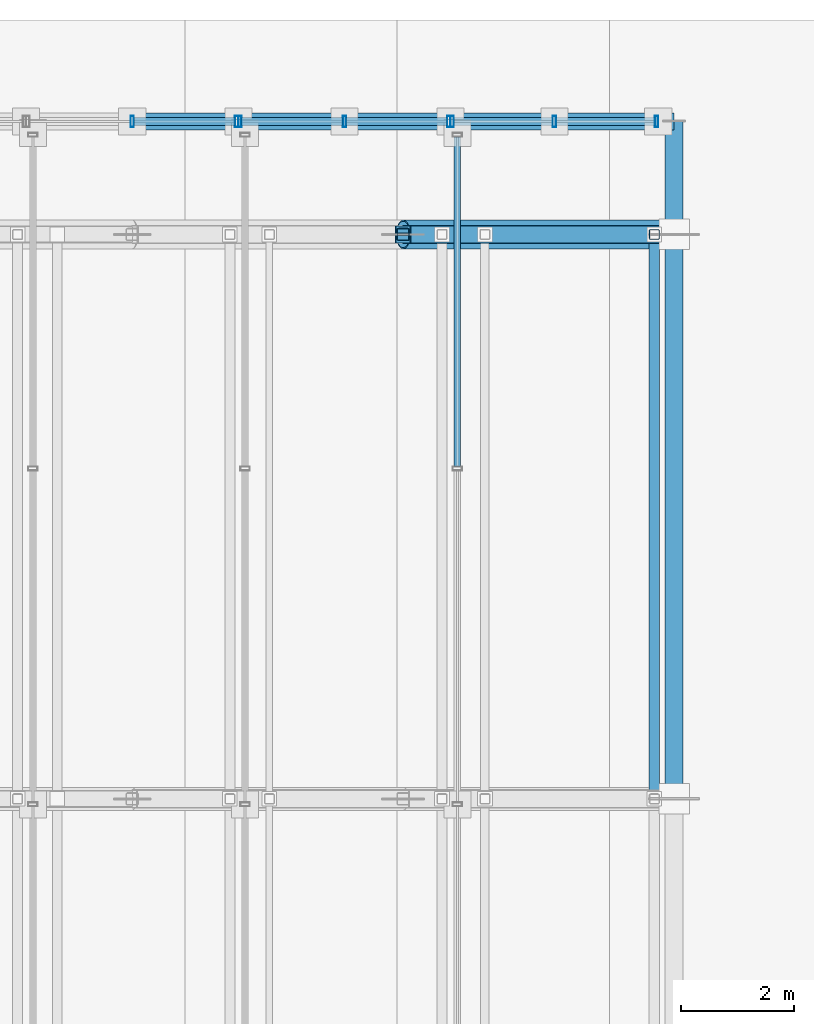
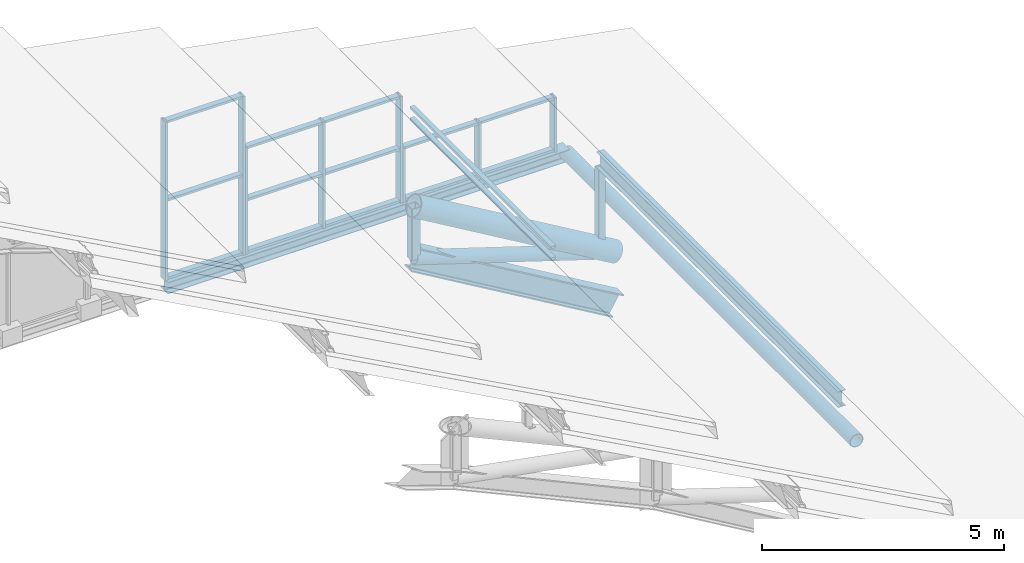
# One storey, part 42 of 117: 29 members, 2 beams, 4 elements without a shape of their own.
"""IFC4 building model written with IfcOpenShell, lengths in metres."""

import ifcopenshell
import ifcopenshell.guid

model = None  # the IFC model being written
_history = None  # IfcOwnerHistory: only IFC2X3 demands one
_inside = {}  # id of a spatial element -> (the spatial element, [elements in it])
_under = {}  # id of a project, library or spatial element -> (it, [spatial elements below it])
_declared = {}  # id of a project -> (the project, [libraries it declares])
_typed = {}  # id of a type object -> (the type object, [elements of that type])
_made_of = {}  # id of a material, layer set ... -> (it, [elements and type objects made of it])


def new_model(schema):
    """Start an empty IFC model of exactly this schema.

    Asked for "IFC4X3", IfcOpenShell would pick the latest addendum, in which some entities
    have other attributes; the version numbers below select the first issue.
    IFC2X3 requires an IfcOwnerHistory on every rooted entity: one is made here for all.
    """
    global model, _history
    if schema == "IFC4X3":
        model = ifcopenshell.file(schema_version=(4, 3, 0, 0))
    else:
        model = ifcopenshell.file(schema=schema)
    _inside.clear()
    _under.clear()
    _declared.clear()
    _typed.clear()
    _made_of.clear()
    _history = None
    if model.schema == "IFC2X3":
        org = make("IfcOrganization", Name="unknown")
        user = make(
            "IfcPersonAndOrganization",
            ThePerson=make("IfcPerson", FamilyName="unknown"),
            TheOrganization=org,
        )
        app = make(
            "IfcApplication",
            ApplicationDeveloper=org,
            Version="unknown",
            ApplicationFullName="unknown",
            ApplicationIdentifier="unknown",
        )
        _history = make(
            "IfcOwnerHistory",
            OwningUser=user,
            OwningApplication=app,
            ChangeAction="ADDED",
            CreationDate=0,
        )
    return model


def make(cls, **values):
    """One entity of the class cls with the attributes given. An attribute that is None is left unset."""
    return model.create_entity(
        cls, **{name: value for name, value in values.items() if value is not None}
    )


def rooted(cls, **values):
    """An entity with a GlobalId (a new one), such as an element, a storey or a relation."""
    return make(cls, GlobalId=ifcopenshell.guid.new(), OwnerHistory=_history, **values)


def si_unit(unit_type, name, prefix=None):
    """IfcSIUnit, for example si_unit("LENGTHUNIT", "METRE", prefix="MILLI")."""
    return make("IfcSIUnit", UnitType=unit_type, Prefix=prefix, Name=name)


def assignment(units):
    """IfcUnitAssignment: the units of a project."""
    return None if units is None else make("IfcUnitAssignment", Units=units)


def point(xyz):
    """IfcCartesianPoint."""
    return None if xyz is None else make("IfcCartesianPoint", Coordinates=xyz)


def direction(xyz):
    """IfcDirection."""
    return None if xyz is None else make("IfcDirection", DirectionRatios=xyz)


def frame(location, z_axis=None, x_axis=None):
    """IfcAxis2Placement3D, a coordinate frame: its origin and axes. An axis left out is left unset."""
    return make(
        "IfcAxis2Placement3D",
        Location=point(location),
        Axis=direction(z_axis),
        RefDirection=direction(x_axis),
    )


def frame_2d(location, x_axis=None):
    """IfcAxis2Placement2D, a coordinate frame in the plane: its origin and x axis."""
    return make(
        "IfcAxis2Placement2D", Location=point(location), RefDirection=direction(x_axis)
    )


def origin():
    """The frame at (0, 0, 0) with its axes left unset."""
    return frame((0.0, 0.0, 0.0))


def origin_2d():
    """The frame at (0, 0) in the plane with its x axis left unset."""
    return frame_2d((0.0, 0.0))


def place(relative_to, where):
    """IfcLocalPlacement: puts the frame where relative to a parent placement (None: the world)."""
    return make(
        "IfcLocalPlacement", PlacementRelTo=relative_to, RelativePlacement=where
    )


def context(
    kind, dimensions, precision=None, world=None, true_north=None, identifier=None
):
    """IfcGeometricRepresentationContext, for example the 3D "Model" context."""
    return make(
        "IfcGeometricRepresentationContext",
        ContextIdentifier=identifier,
        ContextType=kind,
        CoordinateSpaceDimension=dimensions,
        Precision=precision,
        WorldCoordinateSystem=world,
        TrueNorth=true_north,
    )


def subcontext(parent, identifier, kind, view, scale=None):
    """IfcGeometricRepresentationSubContext, for example "Body" below "Model"."""
    return make(
        "IfcGeometricRepresentationSubContext",
        ContextIdentifier=identifier,
        ContextType=kind,
        ParentContext=parent,
        TargetScale=scale,
        TargetView=view,
    )


def project(units=None, contexts=None):
    """IfcProject with its units and contexts."""
    return rooted(
        "IfcProject",
        Name="project",
        RepresentationContexts=contexts,
        UnitsInContext=assignment(units),
    )


def spatial(cls, under=None, at=None, **own):
    """A site, building, storey or space (cls), placed at a placement, below another one or the project."""
    s = rooted(cls, ObjectPlacement=at, **own)
    if under is not None:
        _under.setdefault(under.id(), (under, []))[1].append(s)
    return s


def profile(cls, at=None, kind="AREA", **sizes):
    """A parametric profile (cls). Its sizes go by their IFC names, for example OverallWidth=200.0."""
    return make(cls, ProfileType=kind, Position=at, **sizes)


def hollow_rectangle(**sizes):
    """IfcRectangleHollowProfileDef."""
    return profile("IfcRectangleHollowProfileDef", **sizes)


def hollow_circle(**sizes):
    """IfcCircleHollowProfileDef."""
    return profile("IfcCircleHollowProfileDef", **sizes)


def i_section(**sizes):
    """IfcIShapeProfileDef."""
    return profile("IfcIShapeProfileDef", **sizes)


def extrude(swept, where, along, depth):
    """IfcExtrudedAreaSolid: the profile swept, set in the frame where, extruded along a direction by depth."""
    return make(
        "IfcExtrudedAreaSolid",
        SweptArea=swept,
        Position=where,
        ExtrudedDirection=direction(along),
        Depth=depth,
    )


def shape(context_of_items, identifier, shape_type, items):
    """IfcShapeRepresentation: the items that make up one representation, for example the "Body"."""
    return make(
        "IfcShapeRepresentation",
        ContextOfItems=context_of_items,
        RepresentationIdentifier=identifier,
        RepresentationType=shape_type,
        Items=items,
    )


def material(Name=None, Category=None):
    """IfcMaterial."""
    return make("IfcMaterial", Name=Name, Category=Category)


def material_profile(
    of_material, cross_section, Name=None, Category=None, Priority=None
):
    """IfcMaterialProfile: a cross section and its material."""
    return make(
        "IfcMaterialProfile",
        Name=Name,
        Material=of_material,
        Profile=cross_section,
        Priority=Priority,
        Category=Category,
    )


def profile_set(profiles, Name=None, composite=None):
    """IfcMaterialProfileSet."""
    return make(
        "IfcMaterialProfileSet",
        Name=Name,
        MaterialProfiles=profiles,
        CompositeProfile=composite,
    )


def made_of(thing, what):
    """Note that an element or type object is made of a material, layer set ...; save() writes the relation."""
    if what is not None:
        _made_of.setdefault(what.id(), (what, []))[1].append(thing)
    return thing


def type_object(cls, material=None, **own):
    """A type object (cls), such as IfcWallType, which elements share."""
    return made_of(rooted(cls, **own), material)


def element(
    cls,
    number,
    at=None,
    inside=None,
    cuts=None,
    type_object=None,
    material=None,
    context=None,
    identifier="Body",
    shape_type=None,
    held_by="IfcProductDefinitionShape",
    body=None,
    shapes=None,
    **own,
):
    """One element of the class cls, such as IfcWall. Its Tag is "e" and its number.

    at: its placement. inside: the storey or other place that contains it. cuts: it is an
    opening in that element (IfcRelVoidsElement). A single representation is given by context,
    identifier, shape_type and body (its items); several are given by shapes. held_by: the class
    of the entity that holds the representations. save() writes the other relations.
    """
    e = rooted(cls, Tag="e%d" % number, ObjectPlacement=at, **own)
    if body is not None:
        shapes = [shape(context, identifier, shape_type, body)]
    if shapes is not None:
        e.Representation = make(held_by, Representations=shapes)
    if inside is not None:
        _inside.setdefault(inside.id(), (inside, []))[1].append(e)
    if cuts is not None:
        rooted(
            "IfcRelVoidsElement", RelatingBuildingElement=cuts, RelatedOpeningElement=e
        )
    if type_object is not None:
        _typed.setdefault(type_object.id(), (type_object, []))[1].append(e)
    return made_of(e, material)


def aggregate(whole, parts):
    """IfcRelAggregates: a whole, such as a stair, and the parts it consists of."""
    return rooted("IfcRelAggregates", RelatingObject=whole, RelatedObjects=parts)


def save(model, path):
    """Write the relations noted so far, then the file.

    IfcRelAggregates (storeys below a building ...), IfcRelContainedInSpatialStructure (elements
    in a storey), IfcRelDefinesByType, IfcRelAssociatesMaterial and IfcRelDeclares: one each for
    every whole, place, type object, material and project.
    """
    for whole, parts in _under.values():
        aggregate(whole, parts)
    for where, things in _inside.values():
        rooted(
            "IfcRelContainedInSpatialStructure",
            RelatedElements=things,
            RelatingStructure=where,
        )
    for kind, things in _typed.values():
        rooted("IfcRelDefinesByType", RelatedObjects=things, RelatingType=kind)
    for what, things in _made_of.values():
        rooted("IfcRelAssociatesMaterial", RelatedObjects=things, RelatingMaterial=what)
    for by, libraries in _declared.values():
        rooted("IfcRelDeclares", RelatingContext=by, RelatedDefinitions=libraries)
    model.write(path)


model = new_model("IFC4")

# Units and contexts
model_context = context("Model", 3, precision=1e-05, world=origin(), true_north=direction((0.0, 1.0)))
body_context = subcontext(model_context, "Body", "Model", "MODEL_VIEW")
ifc_project = project(units=[si_unit("LENGTHUNIT", "METRE"), si_unit("AREAUNIT", "SQUARE_METRE"), si_unit("VOLUMEUNIT", "CUBIC_METRE"), si_unit("PLANEANGLEUNIT", "RADIAN"), si_unit("MASSUNIT", "GRAM", prefix="KILO")], contexts=[model_context])

# Site, building, storey
site_placement = place(None, origin())
site = spatial("IfcSite", under=ifc_project, at=site_placement, CompositionType="ELEMENT")
building_placement = place(site_placement, origin())
building = spatial("IfcBuilding", under=site, at=building_placement, Name="Merenkruunu Market Hall", CompositionType="ELEMENT")
storey_placement = place(building_placement, frame((0.0, 0.0, 22.800048828125)))
storey = spatial("IfcBuildingStorey", under=building, at=storey_placement, Name="RF", CompositionType="ELEMENT", Elevation=22.800048828125)

# Members
ifc_material_1 = material(Name="Steel S355ML", Category="steel")
ifc_material_profile_1 = material_profile(ifc_material_1, hollow_circle(Radius=0.25390625, WallThickness=0.02001953125, at=origin_2d()), Name="CHS 508x20")
ifc_profile_set_1 = profile_set([ifc_material_profile_1], Name="Steel S355ML")
member_type_1 = type_object("IfcMemberType", Name="Arch Truss Chord TC01", PredefinedType="CHORD", material=ifc_profile_set_1)
member_1_placement = place(storey_placement, frame((52.800048828125, 109.60009765625, -7.316162109375), z_axis=(0.861115679414, 0.0, -0.508409074139), x_axis=(0.0, 1.0, 0.0)))
element("IfcMember", 1, at=member_1_placement, inside=storey, type_object=member_type_1, Name="TRUSS-AT-G-TOP-12", PredefinedType="CHORD", context=body_context, shape_type="SweptSolid", body=[
    extrude(hollow_circle(Radius=0.25390625, WallThickness=0.02001953125, at=origin_2d()), origin(), (0.0, 0.0, 1.0), 5.57421875),
])
ifc_material_profile_2 = material_profile(ifc_material_1, i_section(OverallWidth=0.300048828125, OverallDepth=0.550048828125, WebThickness=0.014892578125, FlangeThickness=0.029052734375, FilletRadius=0.027099609375, at=origin_2d()), Name="HEB 550")
ifc_profile_set_2 = profile_set([ifc_material_profile_2], Name="Steel S355ML")
member_type_2 = type_object("IfcMemberType", Name="Arch Truss Chord TC03", PredefinedType="CHORD", material=ifc_profile_set_2)
member_2_placement = place(storey_placement, frame((52.800048828125, 109.60009765625, -8.615966796875), z_axis=(0.861115679414, 0.0, -0.508409074139), x_axis=(0.0, 1.0, 0.0)))
element("IfcMember", 2, at=member_2_placement, inside=storey, type_object=member_type_2, Name="TRUSS-AT-G-BOT-12", PredefinedType="CHORD", context=body_context, shape_type="SweptSolid", body=[
    extrude(i_section(OverallWidth=0.300048828125, OverallDepth=0.550048828125, WebThickness=0.014892578125, FlangeThickness=0.029052734375, FilletRadius=0.027099609375, at=origin_2d()), origin(), (0.0, 0.0, 1.0), 5.57421875),
])

# Curtain wall, members
ifc_material_2 = material(Name="Powder-coated aluminium", Category="aluminium")
curtain_wall_type_1 = type_object("IfcCurtainWallType", Name="Glazed Curtain Wall CW17", PredefinedType="USERDEFINED", material=ifc_material_2)
curtain_wall_1_placement = place(storey_placement, origin())
curtain_wall_1 = element("IfcCurtainWall", 3, at=curtain_wall_1_placement, inside=storey, type_object=curtain_wall_type_1, Name="CW-RF-CWM03-078", ObjectType="GLAZED_FACADE", PredefinedType="USERDEFINED")
ifc_material_profile_3 = material_profile(ifc_material_2, hollow_rectangle(XDim=0.06005859375, YDim=0.199951171875, WallThickness=0.0048828125, at=origin_2d()), Name="ALU 60x200x5")
ifc_profile_set_3 = profile_set([ifc_material_profile_3], Name="Powder-coated aluminium")
member_type_3 = type_object("IfcMemberType", Name="Curtain Wall Mullion CWM03", PredefinedType="MULLION", material=ifc_profile_set_3)
member_3_placement = place(storey_placement, frame((48.0, 111.60009765625, -8.68994140625), z_axis=(0.0, 0.0, 1.0), x_axis=(1.0, 0.0, 0.0)))
member_3 = element("IfcMember", 4, at=member_3_placement, type_object=member_type_3, Name="CW17 mullion 2", PredefinedType="MULLION", context=body_context, shape_type="SweptSolid", body=[
    extrude(hollow_rectangle(XDim=0.06005859375, YDim=0.199951171875, WallThickness=0.0048828125, at=origin_2d()), origin(), (0.0, 0.0, 1.0), 4.010009765625),
])
member_4_placement = place(storey_placement, frame((49.85009765625, 111.60009765625, -8.68994140625), z_axis=(0.0, 0.0, 1.0), x_axis=(1.0, 0.0, 0.0)))
member_4 = element("IfcMember", 5, at=member_4_placement, type_object=member_type_3, Name="CW17 mullion 3", PredefinedType="MULLION", context=body_context, shape_type="SweptSolid", body=[
    extrude(hollow_rectangle(XDim=0.06005859375, YDim=0.199951171875, WallThickness=0.0048828125, at=origin_2d()), origin(), (0.0, 0.0, 1.0), 4.010009765625),
])

curtain_wall_2_placement = place(storey_placement, origin())
curtain_wall_2 = element("IfcCurtainWall", 6, at=curtain_wall_2_placement, inside=storey, type_object=curtain_wall_type_1, Name="CW-RF-CWM03-079", ObjectType="GLAZED_FACADE", PredefinedType="USERDEFINED")
member_5_placement = place(storey_placement, frame((49.909912109375, 111.60009765625, -8.68994140625), z_axis=(0.0, 0.0, 1.0), x_axis=(1.0, 0.0, 0.0)))
member_5 = element("IfcMember", 7, at=member_5_placement, type_object=member_type_3, Name="CW17 mullion 1", PredefinedType="MULLION", context=body_context, shape_type="SweptSolid", body=[
    extrude(hollow_rectangle(XDim=0.06005859375, YDim=0.199951171875, WallThickness=0.0048828125, at=origin_2d()), origin(), (0.0, 0.0, 1.0), 2.68994140625),
])
member_6_placement = place(storey_placement, frame((51.760009765625, 111.60009765625, -8.68994140625), z_axis=(0.0, 0.0, 1.0), x_axis=(1.0, 0.0, 0.0)))
member_6 = element("IfcMember", 8, at=member_6_placement, type_object=member_type_3, Name="CW17 mullion 2", PredefinedType="MULLION", context=body_context, shape_type="SweptSolid", body=[
    extrude(hollow_rectangle(XDim=0.06005859375, YDim=0.199951171875, WallThickness=0.0048828125, at=origin_2d()), origin(), (0.0, 0.0, 1.0), 2.68994140625),
])
member_7_placement = place(storey_placement, frame((53.610107421875, 111.60009765625, -8.68994140625), z_axis=(0.0, 0.0, 1.0), x_axis=(1.0, 0.0, 0.0)))
member_7 = element("IfcMember", 9, at=member_7_placement, type_object=member_type_3, Name="CW17 mullion 3", PredefinedType="MULLION", context=body_context, shape_type="SweptSolid", body=[
    extrude(hollow_rectangle(XDim=0.06005859375, YDim=0.199951171875, WallThickness=0.0048828125, at=origin_2d()), origin(), (0.0, 0.0, 1.0), 2.68994140625),
])

curtain_wall_type_2 = type_object("IfcCurtainWallType", Name="Clerestory Curtain Band CL03", PredefinedType="USERDEFINED", material=ifc_material_2)
curtain_wall_3_placement = place(storey_placement, origin())
curtain_wall_3 = element("IfcCurtainWall", 10, at=curtain_wall_3_placement, inside=storey, type_object=curtain_wall_type_2, Name="CW-RF-CWM03-080", ObjectType="CLERESTORY_BAND", PredefinedType="USERDEFINED")
member_8_placement = place(storey_placement, frame((53.669921875, 111.60009765625, -8.68994140625), z_axis=(0.0, 0.0, 1.0), x_axis=(1.0, 0.0, 0.0)))
member_8 = element("IfcMember", 11, at=member_8_placement, type_object=member_type_3, Name="CL03 mullion 1", PredefinedType="MULLION", context=body_context, shape_type="SweptSolid", body=[
    extrude(hollow_rectangle(XDim=0.06005859375, YDim=0.199951171875, WallThickness=0.0048828125, at=origin_2d()), origin(), (0.0, 0.0, 1.0), 1.369873046875),
])
member_9_placement = place(storey_placement, frame((55.47998046875, 111.60009765625, -8.68994140625), z_axis=(0.0, 0.0, 1.0), x_axis=(1.0, 0.0, 0.0)))
member_9 = element("IfcMember", 12, at=member_9_placement, type_object=member_type_3, Name="CL03 mullion 2", PredefinedType="MULLION", context=body_context, shape_type="SweptSolid", body=[
    extrude(hollow_rectangle(XDim=0.06005859375, YDim=0.199951171875, WallThickness=0.0048828125, at=origin_2d()), origin(), (0.0, 0.0, 1.0), 1.369873046875),
])
member_10_placement = place(storey_placement, frame((57.2900390625, 111.60009765625, -8.68994140625), z_axis=(0.0, 0.0, 1.0), x_axis=(1.0, 0.0, 0.0)))
member_10 = element("IfcMember", 13, at=member_10_placement, type_object=member_type_3, Name="CL03 mullion 3", PredefinedType="MULLION", context=body_context, shape_type="SweptSolid", body=[
    extrude(hollow_rectangle(XDim=0.06005859375, YDim=0.199951171875, WallThickness=0.0048828125, at=origin_2d()), origin(), (0.0, 0.0, 1.0), 1.369873046875),
])

# Member
ifc_material_profile_4 = material_profile(ifc_material_2, hollow_rectangle(XDim=0.06005859375, YDim=0.139892578125, WallThickness=0.00390625, at=origin_2d()), Name="ALU 60x140x4")
ifc_profile_set_4 = profile_set([ifc_material_profile_4], Name="Powder-coated aluminium")
member_type_4 = type_object("IfcMemberType", Name="Curtain Wall Transom CWT02", PredefinedType="USERDEFINED", material=ifc_profile_set_4)
member_11_placement = place(storey_placement, frame((48.030029296875, 111.60009765625, -8.66015625), z_axis=(1.0, 0.0, 0.0), x_axis=(0.0, 0.0, 1.0)))
member_11 = element("IfcMember", 14, at=member_11_placement, type_object=member_type_4, Name="CW17 transom 2.1", ObjectType="TRANSOM", PredefinedType="USERDEFINED", context=body_context, shape_type="SweptSolid", body=[
    extrude(hollow_rectangle(XDim=0.06005859375, YDim=0.139892578125, WallThickness=0.00390625, at=origin_2d()), origin(), (0.0, 0.0, 1.0), 1.7900390625),
])

member_12_placement = place(storey_placement, frame((48.030029296875, 111.60009765625, -6.68505859375), z_axis=(1.0, 0.0, 0.0), x_axis=(0.0, 0.0, 1.0)))
member_12 = element("IfcMember", 15, at=member_12_placement, type_object=member_type_4, Name="CW17 transom 2.2", ObjectType="TRANSOM", PredefinedType="USERDEFINED", context=body_context, shape_type="SweptSolid", body=[
    extrude(hollow_rectangle(XDim=0.06005859375, YDim=0.139892578125, WallThickness=0.00390625, at=origin_2d()), origin(), (0.0, 0.0, 1.0), 1.7900390625),
])

member_13_placement = place(storey_placement, frame((48.030029296875, 111.60009765625, -4.7099609375), z_axis=(1.0, 0.0, 0.0), x_axis=(0.0, 0.0, 1.0)))
member_13 = element("IfcMember", 16, at=member_13_placement, type_object=member_type_4, Name="CW17 transom 2.3", ObjectType="TRANSOM", PredefinedType="USERDEFINED", context=body_context, shape_type="SweptSolid", body=[
    extrude(hollow_rectangle(XDim=0.06005859375, YDim=0.139892578125, WallThickness=0.00390625, at=origin_2d()), origin(), (0.0, 0.0, 1.0), 1.7900390625),
])

aggregate(curtain_wall_1, [member_3, member_4, member_11, member_12, member_13])

member_14_placement = place(storey_placement, frame((49.93994140625, 111.60009765625, -8.66015625), z_axis=(1.0, 0.0, 0.0), x_axis=(0.0, 0.0, 1.0)))
member_14 = element("IfcMember", 17, at=member_14_placement, type_object=member_type_4, Name="CW17 transom 1.1", ObjectType="TRANSOM", PredefinedType="USERDEFINED", context=body_context, shape_type="SweptSolid", body=[
    extrude(hollow_rectangle(XDim=0.06005859375, YDim=0.139892578125, WallThickness=0.00390625, at=origin_2d()), origin(), (0.0, 0.0, 1.0), 1.7900390625),
])

member_15_placement = place(storey_placement, frame((49.93994140625, 111.60009765625, -7.344970703125), z_axis=(1.0, 0.0, 0.0), x_axis=(0.0, 0.0, 1.0)))
member_15 = element("IfcMember", 18, at=member_15_placement, type_object=member_type_4, Name="CW17 transom 1.2", ObjectType="TRANSOM", PredefinedType="USERDEFINED", context=body_context, shape_type="SweptSolid", body=[
    extrude(hollow_rectangle(XDim=0.06005859375, YDim=0.139892578125, WallThickness=0.00390625, at=origin_2d()), origin(), (0.0, 0.0, 1.0), 1.7900390625),
])

member_16_placement = place(storey_placement, frame((49.93994140625, 111.60009765625, -6.030029296875), z_axis=(1.0, 0.0, 0.0), x_axis=(0.0, 0.0, 1.0)))
member_16 = element("IfcMember", 19, at=member_16_placement, type_object=member_type_4, Name="CW17 transom 1.3", ObjectType="TRANSOM", PredefinedType="USERDEFINED", context=body_context, shape_type="SweptSolid", body=[
    extrude(hollow_rectangle(XDim=0.06005859375, YDim=0.139892578125, WallThickness=0.00390625, at=origin_2d()), origin(), (0.0, 0.0, 1.0), 1.7900390625),
])

member_17_placement = place(storey_placement, frame((51.7900390625, 111.60009765625, -8.66015625), z_axis=(1.0, 0.0, 0.0), x_axis=(0.0, 0.0, 1.0)))
member_17 = element("IfcMember", 20, at=member_17_placement, type_object=member_type_4, Name="CW17 transom 2.1", ObjectType="TRANSOM", PredefinedType="USERDEFINED", context=body_context, shape_type="SweptSolid", body=[
    extrude(hollow_rectangle(XDim=0.06005859375, YDim=0.139892578125, WallThickness=0.00390625, at=origin_2d()), origin(), (0.0, 0.0, 1.0), 1.7900390625),
])

member_18_placement = place(storey_placement, frame((51.7900390625, 111.60009765625, -7.344970703125), z_axis=(1.0, 0.0, 0.0), x_axis=(0.0, 0.0, 1.0)))
member_18 = element("IfcMember", 21, at=member_18_placement, type_object=member_type_4, Name="CW17 transom 2.2", ObjectType="TRANSOM", PredefinedType="USERDEFINED", context=body_context, shape_type="SweptSolid", body=[
    extrude(hollow_rectangle(XDim=0.06005859375, YDim=0.139892578125, WallThickness=0.00390625, at=origin_2d()), origin(), (0.0, 0.0, 1.0), 1.7900390625),
])

member_19_placement = place(storey_placement, frame((51.7900390625, 111.60009765625, -6.030029296875), z_axis=(1.0, 0.0, 0.0), x_axis=(0.0, 0.0, 1.0)))
member_19 = element("IfcMember", 22, at=member_19_placement, type_object=member_type_4, Name="CW17 transom 2.3", ObjectType="TRANSOM", PredefinedType="USERDEFINED", context=body_context, shape_type="SweptSolid", body=[
    extrude(hollow_rectangle(XDim=0.06005859375, YDim=0.139892578125, WallThickness=0.00390625, at=origin_2d()), origin(), (0.0, 0.0, 1.0), 1.7900390625),
])

aggregate(curtain_wall_2, [member_5, member_6, member_7, member_14, member_15, member_16, member_17, member_18, member_19])

member_20_placement = place(storey_placement, frame((53.699951171875, 111.60009765625, -8.66015625), z_axis=(1.0, 0.0, 0.0), x_axis=(0.0, 0.0, 1.0)))
member_20 = element("IfcMember", 23, at=member_20_placement, type_object=member_type_4, Name="CL03 transom 1.1", ObjectType="TRANSOM", PredefinedType="USERDEFINED", context=body_context, shape_type="SweptSolid", body=[
    extrude(hollow_rectangle(XDim=0.06005859375, YDim=0.139892578125, WallThickness=0.00390625, at=origin_2d()), origin(), (0.0, 0.0, 1.0), 1.75),
])

member_21_placement = place(storey_placement, frame((53.699951171875, 111.60009765625, -7.35009765625), z_axis=(1.0, 0.0, 0.0), x_axis=(0.0, 0.0, 1.0)))
member_21 = element("IfcMember", 24, at=member_21_placement, type_object=member_type_4, Name="CL03 transom 1.2", ObjectType="TRANSOM", PredefinedType="USERDEFINED", context=body_context, shape_type="SweptSolid", body=[
    extrude(hollow_rectangle(XDim=0.06005859375, YDim=0.139892578125, WallThickness=0.00390625, at=origin_2d()), origin(), (0.0, 0.0, 1.0), 1.75),
])

member_22_placement = place(storey_placement, frame((55.510009765625, 111.60009765625, -8.66015625), z_axis=(1.0, 0.0, 0.0), x_axis=(0.0, 0.0, 1.0)))
member_22 = element("IfcMember", 25, at=member_22_placement, type_object=member_type_4, Name="CL03 transom 2.1", ObjectType="TRANSOM", PredefinedType="USERDEFINED", context=body_context, shape_type="SweptSolid", body=[
    extrude(hollow_rectangle(XDim=0.06005859375, YDim=0.139892578125, WallThickness=0.00390625, at=origin_2d()), origin(), (0.0, 0.0, 1.0), 1.75),
])

member_23_placement = place(storey_placement, frame((55.510009765625, 111.60009765625, -7.35009765625), z_axis=(1.0, 0.0, 0.0), x_axis=(0.0, 0.0, 1.0)))
member_23 = element("IfcMember", 26, at=member_23_placement, type_object=member_type_4, Name="CL03 transom 2.2", ObjectType="TRANSOM", PredefinedType="USERDEFINED", context=body_context, shape_type="SweptSolid", body=[
    extrude(hollow_rectangle(XDim=0.06005859375, YDim=0.139892578125, WallThickness=0.00390625, at=origin_2d()), origin(), (0.0, 0.0, 1.0), 1.75),
])

aggregate(curtain_wall_3, [member_8, member_9, member_10, member_20, member_21, member_22, member_23])

# Curtain wall, members
curtain_wall_type_3 = type_object("IfcCurtainWallType", Name="Clerestory Curtain Band CL05", PredefinedType="USERDEFINED", material=ifc_material_2)
curtain_wall_4_placement = place(storey_placement, origin())
curtain_wall_4 = element("IfcCurtainWall", 27, at=curtain_wall_4_placement, inside=storey, type_object=curtain_wall_type_3, Name="CW-RF-CWM04-088", ObjectType="CLERESTORY_BAND", PredefinedType="USERDEFINED")
ifc_material_profile_5 = material_profile(ifc_material_2, hollow_rectangle(XDim=0.06005859375, YDim=0.110107421875, WallThickness=0.00390625, at=origin_2d()), Name="ALU 60x110x4")
ifc_profile_set_5 = profile_set([ifc_material_profile_5], Name="Powder-coated aluminium")
member_type_5 = type_object("IfcMemberType", Name="Curtain Wall Transom CWT03", PredefinedType="USERDEFINED", material=ifc_profile_set_5)
member_24_placement = place(storey_placement, frame((53.760009765625, 111.330078125, -6.491943359375), z_axis=(0.0, -1.0, 0.0), x_axis=(0.0, 0.0, 1.0)))
member_24 = element("IfcMember", 28, at=member_24_placement, type_object=member_type_5, Name="CL05 transom 1.1", ObjectType="TRANSOM", PredefinedType="USERDEFINED", context=body_context, shape_type="SweptSolid", body=[
    extrude(hollow_rectangle(XDim=0.06005859375, YDim=0.110107421875, WallThickness=0.00390625, at=origin_2d()), origin(), (0.0, 0.0, 1.0), 5.844970703125),
])
member_25_placement = place(storey_placement, frame((53.760009765625, 111.330078125, -6.2041015625), z_axis=(0.0, -1.0, 0.0), x_axis=(0.0, 0.0, 1.0)))
member_25 = element("IfcMember", 29, at=member_25_placement, type_object=member_type_5, Name="CL05 transom 1.2", ObjectType="TRANSOM", PredefinedType="USERDEFINED", context=body_context, shape_type="SweptSolid", body=[
    extrude(hollow_rectangle(XDim=0.06005859375, YDim=0.110107421875, WallThickness=0.00390625, at=origin_2d()), origin(), (0.0, 0.0, 1.0), 5.844970703125),
])
aggregate(curtain_wall_4, [member_24, member_25])

# Members
ifc_material_profile_6 = material_profile(ifc_material_1, hollow_circle(Radius=0.161865234375, WallThickness=0.01611328125, at=origin_2d()), Name="CHS 323.9x16")
ifc_profile_set_6 = profile_set([ifc_material_profile_6], Name="Steel S355ML")
member_type_6 = type_object("IfcMemberType", Name="Diagonal Sway Brace BR01", PredefinedType="BRACE", material=ifc_profile_set_6)
member_26_placement = place(storey_placement, frame((52.800048828125, 109.60009765625, -8.615966796875), z_axis=(0.95252984503, 0.0, -0.304445223853), x_axis=(0.0, 1.0, 0.0)))
element("IfcMember", 30, at=member_26_placement, inside=storey, type_object=member_type_6, Name="TRUSS-AT-G-DIAG-12", PredefinedType="BRACE", context=body_context, shape_type="SweptSolid", body=[
    extrude(hollow_circle(Radius=0.161865234375, WallThickness=0.01611328125, at=origin_2d()), origin(), (0.0, 0.0, 1.0), 5.039306640625),
])
ifc_material_3 = material(Name="Steel S355J2", Category="steel")
ifc_material_profile_7 = material_profile(ifc_material_3, hollow_rectangle(XDim=0.219970703125, YDim=0.219970703125, WallThickness=0.012451171875, InnerFilletRadius=0.012451171875, OuterFilletRadius=0.02490234375, at=origin_2d()), Name="SHS 220x220x12.5")
ifc_profile_set_7 = profile_set([ifc_material_profile_7], Name="Steel S355J2")
member_type_7 = type_object("IfcMemberType", Name="Diagonal Sway Brace BR04", PredefinedType="BRACE", material=ifc_profile_set_7)
member_27_placement = place(storey_placement, frame((52.800048828125, 109.60009765625, -8.615966796875), z_axis=(0.0, 0.0, 1.0), x_axis=(1.0, 0.0, 0.0)))
element("IfcMember", 31, at=member_27_placement, inside=storey, type_object=member_type_7, Name="TRUSS-AT-G-POST-11", PredefinedType="BRACE", context=body_context, shape_type="SweptSolid", body=[
    extrude(hollow_rectangle(XDim=0.219970703125, YDim=0.219970703125, WallThickness=0.012451171875, InnerFilletRadius=0.012451171875, OuterFilletRadius=0.02490234375, at=origin_2d()), origin(), (0.0, 0.0, 1.0), 1.2998046875),
])
ifc_material_profile_8 = material_profile(ifc_material_3, hollow_rectangle(XDim=0.179931640625, YDim=0.179931640625, WallThickness=0.010009765625, InnerFilletRadius=0.010009765625, OuterFilletRadius=0.02001953125, at=origin_2d()), Name="SHS 180x180x10")
ifc_profile_set_8 = profile_set([ifc_material_profile_8], Name="Steel S355J2")
member_type_8 = type_object("IfcMemberType", Name="Diagonal Sway Brace BR05", PredefinedType="BRACE", material=ifc_profile_set_8)
member_28_placement = place(storey_placement, frame((57.25, 109.60009765625, -9.700927734375), z_axis=(0.0, 0.0, 1.0), x_axis=(1.0, 0.0, 0.0)))
element("IfcMember", 32, at=member_28_placement, inside=storey, type_object=member_type_8, Name="TRUSS-AT-G-RISER-E1-1", PredefinedType="BRACE", context=body_context, shape_type="SweptSolid", body=[
    extrude(hollow_rectangle(XDim=0.179931640625, YDim=0.179931640625, WallThickness=0.010009765625, InnerFilletRadius=0.010009765625, OuterFilletRadius=0.02001953125, at=origin_2d()), origin(), (0.0, 0.0, 1.0), 1.802490234375),
])

# Beams
ifc_material_profile_9 = material_profile(ifc_material_1, hollow_circle(Radius=0.161865234375, WallThickness=0.01611328125, at=origin_2d()), Name="CHS 323.9x16")
ifc_profile_set_9 = profile_set([ifc_material_profile_9], Name="Steel S355ML")
beam_type_1 = type_object("IfcBeamType", Name="Perimeter Spandrel Beam SP05", PredefinedType="SPANDREL", material=ifc_profile_set_9)
beam_1_placement = place(storey_placement, frame((57.60009765625, 99.60009765625, -8.862060546875), z_axis=(0.0, 1.0, 0.0), x_axis=(-1.0, 0.0, 0.0)))
element("IfcBeam", 33, at=beam_1_placement, inside=storey, type_object=beam_type_1, Name="BM-RF-SP05-1293", PredefinedType="SPANDREL", context=body_context, shape_type="SweptSolid", body=[
    extrude(hollow_circle(Radius=0.161865234375, WallThickness=0.01611328125, at=origin_2d()), origin(), (0.0, 0.0, 1.0), 12.0),
])
ifc_material_profile_10 = material_profile(ifc_material_3, i_section(OverallWidth=0.300048828125, OverallDepth=0.2900390625, WebThickness=0.008544921875, FlangeThickness=0.013916015625, FilletRadius=0.027099609375, at=origin_2d()), Name="HEA 300")
ifc_profile_set_10 = profile_set([ifc_material_profile_10], Name="Steel S355J2")
beam_type_2 = type_object("IfcBeamType", Name="Primary Floor Girder B09", PredefinedType="BEAM", material=ifc_profile_set_10)
beam_2_placement = place(storey_placement, frame((48.0, 111.60009765625, -8.844970703125), z_axis=(1.0, 0.0, 0.0), x_axis=(0.0, 1.0, 0.0)))
element("IfcBeam", 34, at=beam_2_placement, inside=storey, type_object=beam_type_2, Name="BM-RF-B09-1260", PredefinedType="BEAM", context=body_context, shape_type="SweptSolid", body=[
    extrude(i_section(OverallWidth=0.300048828125, OverallDepth=0.2900390625, WebThickness=0.008544921875, FlangeThickness=0.013916015625, FilletRadius=0.027099609375, at=origin_2d()), origin(), (0.0, 0.0, 1.0), 9.60009765625),
])

# Member
ifc_material_profile_11 = material_profile(ifc_material_1, i_section(OverallWidth=0.179931640625, OverallDepth=0.39990234375, WebThickness=0.008544921875, FlangeThickness=0.013427734375, FilletRadius=0.02099609375, at=origin_2d()), Name="IPE 400")
ifc_profile_set_11 = profile_set([ifc_material_profile_11], Name="Steel S355ML")
member_type_9 = type_object("IfcMemberType", Name="Roof Purlin Rafter PR09", PredefinedType="PURLIN", material=ifc_profile_set_11)
member_29_placement = place(storey_placement, frame((57.25, 99.60009765625, -7.680419921875), z_axis=(0.0, 1.0, 0.0), x_axis=(-1.0, 0.0, 0.0)))
element("IfcMember", 35, at=member_29_placement, inside=storey, type_object=member_type_9, Name="MEM-RF-PURL-E-016", PredefinedType="PURLIN", context=body_context, shape_type="SweptSolid", body=[
    extrude(i_section(OverallWidth=0.179931640625, OverallDepth=0.39990234375, WebThickness=0.008544921875, FlangeThickness=0.013427734375, FilletRadius=0.02099609375, at=origin_2d()), origin(), (0.0, 0.0, 1.0), 10.0),
])

save(model, "model.ifc")
